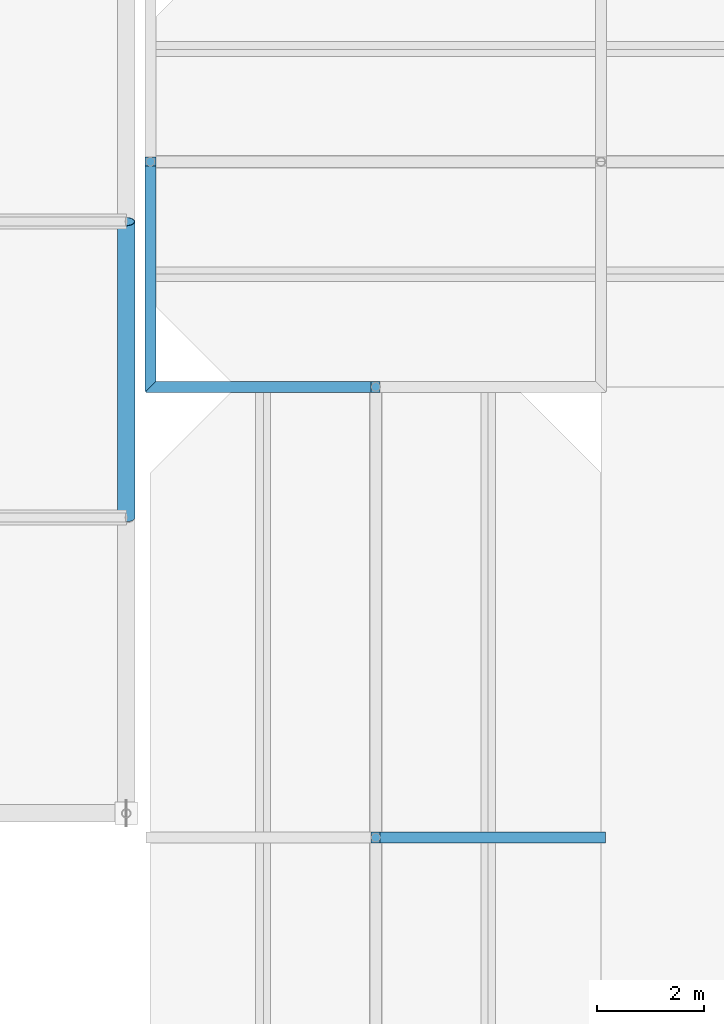
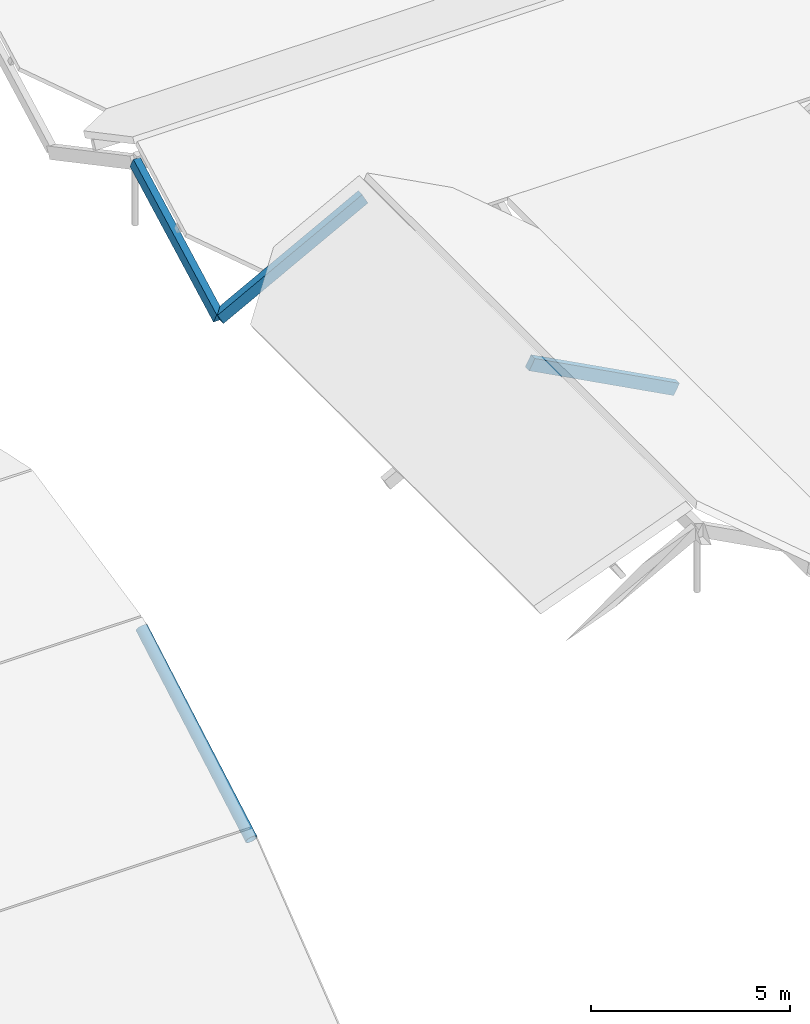
# One storey, part 22 of 82: 4 members.
"""IFC4 building model written with IfcOpenShell, lengths in metres."""

from ifc_helpers import new_model, si_unit, direction, frame, origin, origin_2d, place, context, subcontext, project, spatial, rectangle, hollow_circle, extrude, material, material_profile, profile_set, type_object, element, save


model = new_model("IFC4")

# Units and contexts
model_context = context("Model", 3, precision=1e-05, world=origin(), true_north=direction((0.0, 1.0)))
body_context = subcontext(model_context, "Body", "Model", "MODEL_VIEW")
ifc_project = project(units=[si_unit("LENGTHUNIT", "METRE"), si_unit("AREAUNIT", "SQUARE_METRE"), si_unit("VOLUMEUNIT", "CUBIC_METRE"), si_unit("PLANEANGLEUNIT", "RADIAN"), si_unit("MASSUNIT", "GRAM", prefix="KILO")], contexts=[model_context])

# Site, building, storey
site_placement = place(None, origin())
site = spatial("IfcSite", under=ifc_project, at=site_placement, CompositionType="ELEMENT")
building_placement = place(site_placement, origin())
building = spatial("IfcBuilding", under=site, at=building_placement, Name="Bramfleet General Hospital", CompositionType="ELEMENT")
storey_placement = place(building_placement, frame((0.0, 0.0, 34.199951171875)))
storey = spatial("IfcBuildingStorey", under=building, at=storey_placement, Name="Roof", CompositionType="ELEMENT", Elevation=34.199951171875)

# Members
ifc_material_1 = material(Name="Structural timber GL28h", Category="wood")
ifc_material_profile_1 = material_profile(ifc_material_1, rectangle(XDim=0.199951171875, YDim=0.360107421875, at=origin_2d()), Name="GL28h 360x200")
ifc_profile_set_1 = profile_set([ifc_material_profile_1], Name="Structural timber GL28h")
member_type_1 = type_object("IfcMemberType", Name="MEM-RF-GL360", PredefinedType="RAFTER", material=ifc_profile_set_1)
for number, where, z_axis, x_axis, name in (
    (1, (96.60009765625, 16.800048828125, 1.476806640625), (0.882947536541, 0.0, -0.469471668705), (0.0, 1.0, 0.0), "Patient House PH-05 East Glulam Rafter 2"),
    (2, (92.39990234375, 25.199951171875, -0.75634765625), (0.882958848035, 0.0, 0.469450394267), (0.0, 1.0, 0.0), "Patient House PH-05 West Glulam Rafter 3"),
    (3, (92.39990234375, 25.199951171875, -0.75634765625), (0.0, 0.882947536541, 0.469471668705), (-1.0, 0.0, 0.0), "Patient House PH-09 South Glulam Rafter 0"),
):
    element("IfcMember", number, at=place(storey_placement, frame(where, z_axis=z_axis, x_axis=x_axis)), inside=storey, type_object=member_type_1, Name=name, PredefinedType="RAFTER", context=body_context, shape_type="SweptSolid", body=[
        extrude(rectangle(XDim=0.199951171875, YDim=0.360107421875, at=origin_2d()), origin(), (0.0, 0.0, 1.0), 4.7568359375),
    ])
ifc_material_2 = material(Name="Steel S355", Category="steel")
ifc_material_profile_2 = material_profile(ifc_material_2, hollow_circle(Radius=0.161865234375, WallThickness=0.012451171875, at=origin_2d()), Name="CHS 323.9x12.5")
ifc_profile_set_2 = profile_set([ifc_material_profile_2], Name="Steel S355")
member_type_2 = type_object("IfcMemberType", Name="MEM-SF-TC1", PredefinedType="CHORD", material=ifc_profile_set_2)
member_placement = place(storey_placement, frame((91.949951171875, 22.7666015625, -15.14990234375), z_axis=(0.0, 0.868567012685, 0.495571734945), x_axis=(-1.0, 0.0, 0.0)))
element("IfcMember", 4, at=member_placement, inside=storey, type_object=member_type_2, Name="Space Frame Top Chord Y 7-1", PredefinedType="CHORD", context=body_context, shape_type="SweptSolid", body=[
    extrude(hollow_circle(Radius=0.161865234375, WallThickness=0.012451171875, at=origin_2d()), origin(), (0.0, 0.0, 1.0), 6.3515625),
])

save(model, "model.ifc")
